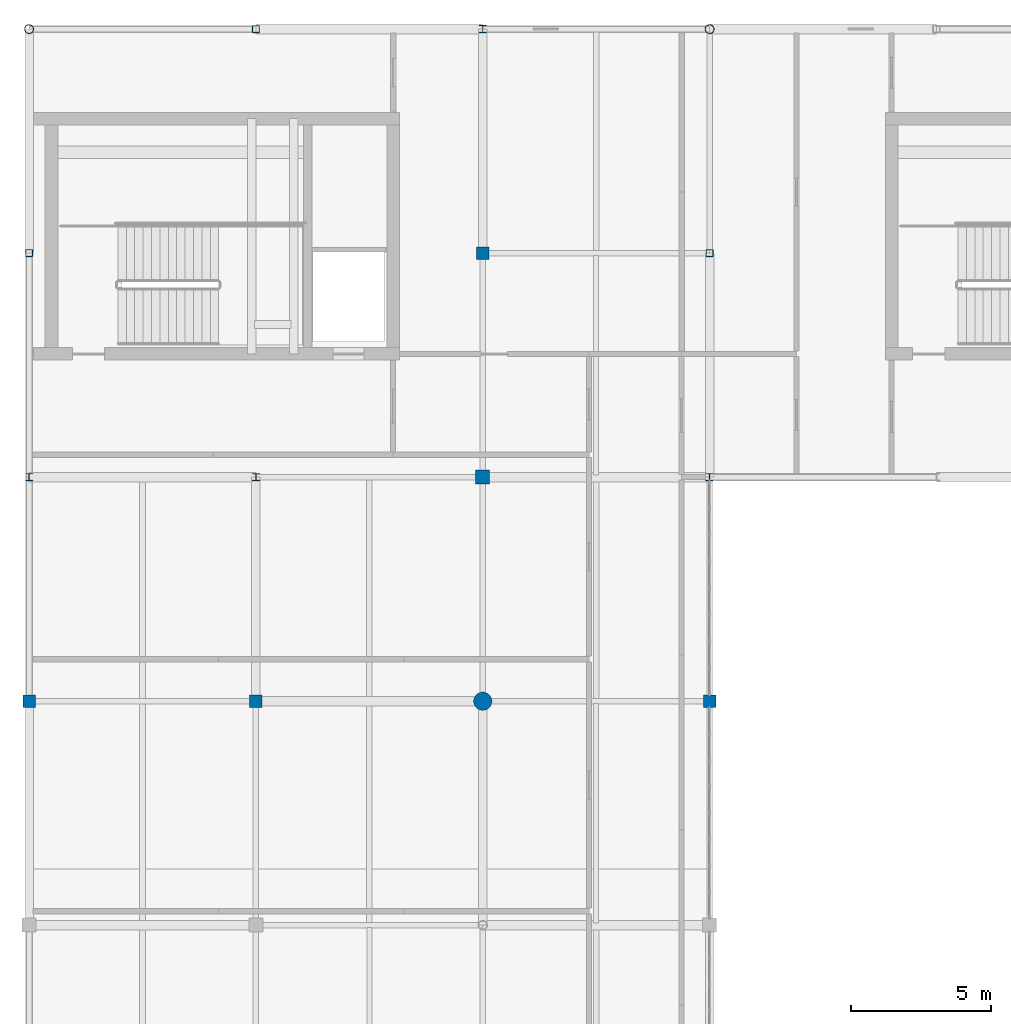
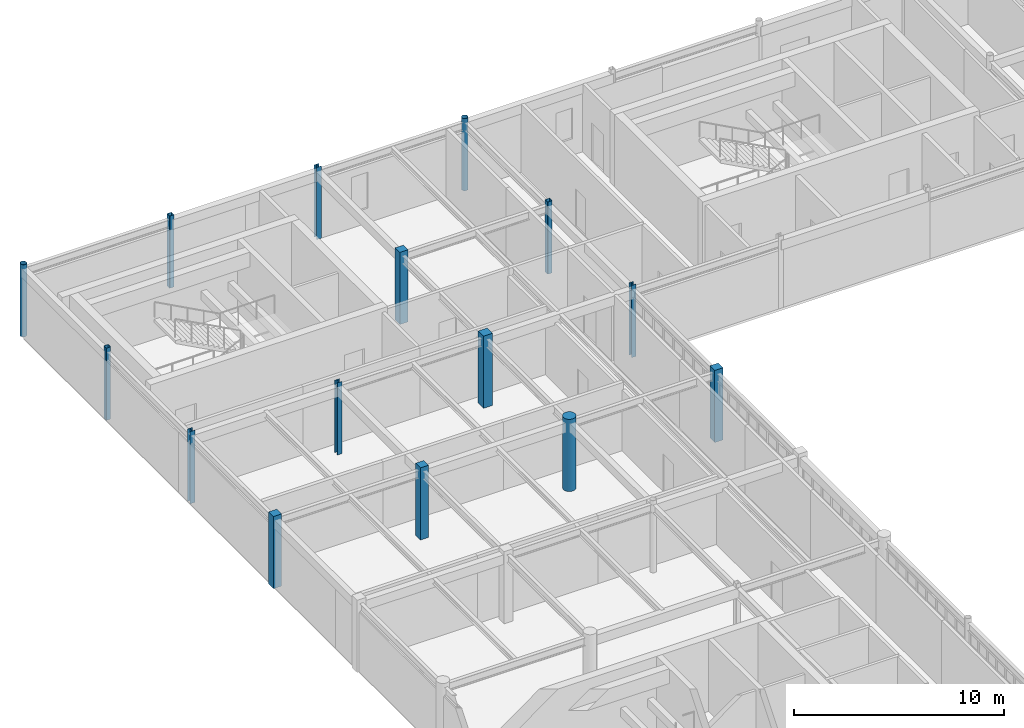
# One storey, part 2 of 18: 15 columns.
"""IFC4 building model written with IfcOpenShell, lengths in metres."""

from ifc_helpers import new_model, si_unit, direction, frame, origin, origin_2d, place, context, subcontext, project, spatial, rectangle, hollow_rectangle, circle, hollow_circle, i_section, extrude, material, material_profile, profile_set, type_object, element, save


model = new_model("IFC4")

# Units and contexts
model_context = context("Model", 3, precision=1e-05, world=origin(), true_north=direction((0.0, 1.0)))
body_context = subcontext(model_context, "Body", "Model", "MODEL_VIEW")
ifc_project = project(units=[si_unit("LENGTHUNIT", "METRE"), si_unit("AREAUNIT", "SQUARE_METRE"), si_unit("VOLUMEUNIT", "CUBIC_METRE"), si_unit("PLANEANGLEUNIT", "RADIAN"), si_unit("MASSUNIT", "GRAM", prefix="KILO")], contexts=[model_context])

# Site, building, storey
site_placement = place(None, origin())
site = spatial("IfcSite", under=ifc_project, at=site_placement, CompositionType="ELEMENT")
building_placement = place(site_placement, origin())
building = spatial("IfcBuilding", under=site, at=building_placement, Name="Tarnveldt Square Police Headquarters", CompositionType="ELEMENT")
storey_placement = place(building_placement, frame((0.0, 0.0, 29.10009765625)))
storey = spatial("IfcBuildingStorey", under=building, at=storey_placement, Name="L06", CompositionType="ELEMENT", Elevation=29.10009765625)

# Columns
ifc_material_1 = material(Name="Steel 350W", Category="steel")
ifc_material_profile_1 = material_profile(ifc_material_1, hollow_circle(Radius=0.161865234375, WallThickness=0.0126953125, at=origin_2d()), Name="HSS324x13")
ifc_profile_set_1 = profile_set([ifc_material_profile_1], Name="Steel 350W")
column_type_1 = type_object("IfcColumnType", Name="COL-CHS324x13", PredefinedType="COLUMN", material=ifc_profile_set_1)
for number, where, z_axis, x_axis, name in (
    (1, (16.199951171875, 112.0, 0.0), (0.0, 0.0, 1.0), (1.0, 0.0, 0.0), "L06 Column 027"),
    (2, (40.5, 112.0, 0.0), (0.0, 0.0, 1.0), (1.0, 0.0, 0.0), "L06 Column 069"),
):
    element("IfcColumn", number, at=place(storey_placement, frame(where, z_axis=z_axis, x_axis=x_axis)), inside=storey, type_object=column_type_1, Name=name, PredefinedType="COLUMN", context=body_context, shape_type="SweptSolid", body=[
        extrude(hollow_circle(Radius=0.161865234375, WallThickness=0.0126953125, at=origin_2d()), origin(), (0.0, 0.0, 1.0), 4.199951171875),
    ])
ifc_material_2 = material(Name="Concrete 40 MPa", Category="concrete")
ifc_material_profile_2 = material_profile(ifc_material_2, circle(Radius=0.324951171875, at=origin_2d()), Name="RC-D650")
ifc_profile_set_2 = profile_set([ifc_material_profile_2], Name="Concrete 40 MPa")
column_type_2 = type_object("IfcColumnType", Name="COL-D650", PredefinedType="COLUMN", material=ifc_profile_set_2)
column_1_placement = place(storey_placement, frame((32.39990234375, 88.0, 0.0), z_axis=(0.0, 0.0, 1.0), x_axis=(1.0, 0.0, 0.0)))
element("IfcColumn", 3, at=column_1_placement, inside=storey, type_object=column_type_2, Name="L06 Column 052", PredefinedType="COLUMN", context=body_context, shape_type="SweptSolid", body=[
    extrude(circle(Radius=0.324951171875, at=origin_2d()), origin(), (0.0, 0.0, 1.0), 4.199951171875),
])
ifc_material_profile_3 = material_profile(ifc_material_1, hollow_rectangle(XDim=0.25390625, YDim=0.25390625, WallThickness=0.0126953125, InnerFilletRadius=0.0126953125, OuterFilletRadius=0.025390625, at=origin_2d()), Name="HSS254x254x13")
ifc_profile_set_3 = profile_set([ifc_material_profile_3], Name="Steel 350W")
column_type_3 = type_object("IfcColumnType", Name="COL-HSS254x13", PredefinedType="COLUMN", material=ifc_profile_set_3)
for number, where, z_axis, x_axis, name in (
    (4, (16.199951171875, 104.0, 0.0), (0.0, 0.0, 1.0), (1.0, 0.0, 0.0), "L06 Column 026"),
    (5, (24.300048828125, 112.0, 0.0), (0.0, 0.0, 1.0), (1.0, 0.0, 0.0), "L06 Column 038"),
    (6, (40.5, 104.0, 0.0), (0.0, 0.0, 1.0), (1.0, 0.0, 0.0), "L06 Column 068"),
):
    element("IfcColumn", number, at=place(storey_placement, frame(where, z_axis=z_axis, x_axis=x_axis)), inside=storey, type_object=column_type_3, Name=name, PredefinedType="COLUMN", context=body_context, shape_type="SweptSolid", body=[
        extrude(hollow_rectangle(XDim=0.25390625, YDim=0.25390625, WallThickness=0.0126953125, InnerFilletRadius=0.0126953125, OuterFilletRadius=0.025390625, at=origin_2d()), origin(), (0.0, 0.0, 1.0), 4.199951171875),
    ])
ifc_material_profile_4 = material_profile(ifc_material_2, rectangle(XDim=0.449951171875, YDim=0.449951171875, at=origin_2d()), Name="RC-C450x450")
ifc_profile_set_4 = profile_set([ifc_material_profile_4], Name="Concrete 40 MPa")
column_type_4 = type_object("IfcColumnType", Name="COL-RC450", PredefinedType="COLUMN", material=ifc_profile_set_4)
for number, where, z_axis, x_axis, name in (
    (7, (16.199951171875, 88.0, 0.0), (0.0, 0.0, 1.0), (1.0, 0.0, 0.0), "L06 Column 024"),
    (8, (24.300048828125, 88.0, 0.0), (0.0, 0.0, 1.0), (1.0, 0.0, 0.0), "L06 Column 036"),
    (9, (32.39990234375, 104.0, 0.0), (0.0, 0.0, 1.0), (1.0, 0.0, 0.0), "L06 Column 054"),
    (10, (40.5, 88.0, 0.0), (0.0, 0.0, 1.0), (1.0, 0.0, 0.0), "L06 Column 066"),
):
    element("IfcColumn", number, at=place(storey_placement, frame(where, z_axis=z_axis, x_axis=x_axis)), inside=storey, type_object=column_type_4, Name=name, PredefinedType="COLUMN", context=body_context, shape_type="SweptSolid", body=[
        extrude(rectangle(XDim=0.449951171875, YDim=0.449951171875, at=origin_2d()), origin(), (0.0, 0.0, 1.0), 4.199951171875),
    ])
ifc_material_profile_5 = material_profile(ifc_material_2, rectangle(XDim=0.5, YDim=0.5, at=origin_2d()), Name="RC-C500x500")
ifc_profile_set_5 = profile_set([ifc_material_profile_5], Name="Concrete 40 MPa")
column_type_5 = type_object("IfcColumnType", Name="COL-RC500", PredefinedType="COLUMN", material=ifc_profile_set_5)
column_2_placement = place(storey_placement, frame((32.39990234375, 96.0, 0.0), z_axis=(0.0, 0.0, 1.0), x_axis=(1.0, 0.0, 0.0)))
element("IfcColumn", 11, at=column_2_placement, inside=storey, type_object=column_type_5, Name="L06 Column 053", PredefinedType="COLUMN", context=body_context, shape_type="SweptSolid", body=[
    extrude(rectangle(XDim=0.5, YDim=0.5, at=origin_2d()), origin(), (0.0, 0.0, 1.0), 4.199951171875),
])
ifc_material_profile_6 = material_profile(ifc_material_1, i_section(OverallWidth=0.256103515625, OverallDepth=0.260009765625, WebThickness=0.0107421875, FlangeThickness=0.017333984375, FilletRadius=0.012939453125, at=origin_2d()), Name="W250x89")
ifc_profile_set_6 = profile_set([ifc_material_profile_6], Name="Steel 350W")
column_type_6 = type_object("IfcColumnType", Name="COL-W250x89", PredefinedType="COLUMN", material=ifc_profile_set_6)
for number, where, z_axis, x_axis, name in (
    (12, (16.199951171875, 96.0, 0.0), (0.0, 0.0, 1.0), (1.0, 0.0, 0.0), "L06 Column 025"),
    (13, (24.300048828125, 96.0, 0.0), (0.0, 0.0, 1.0), (1.0, 0.0, 0.0), "L06 Column 037"),
    (14, (32.39990234375, 112.0, 0.0), (0.0, 0.0, 1.0), (1.0, 0.0, 0.0), "L06 Column 055"),
    (15, (40.5, 96.0, 0.0), (0.0, 0.0, 1.0), (1.0, 0.0, 0.0), "L06 Column 067"),
):
    element("IfcColumn", number, at=place(storey_placement, frame(where, z_axis=z_axis, x_axis=x_axis)), inside=storey, type_object=column_type_6, Name=name, PredefinedType="COLUMN", context=body_context, shape_type="SweptSolid", body=[
        extrude(i_section(OverallWidth=0.256103515625, OverallDepth=0.260009765625, WebThickness=0.0107421875, FlangeThickness=0.017333984375, FilletRadius=0.012939453125, at=origin_2d()), origin(), (0.0, 0.0, 1.0), 4.199951171875),
    ])

save(model, "model.ifc")
